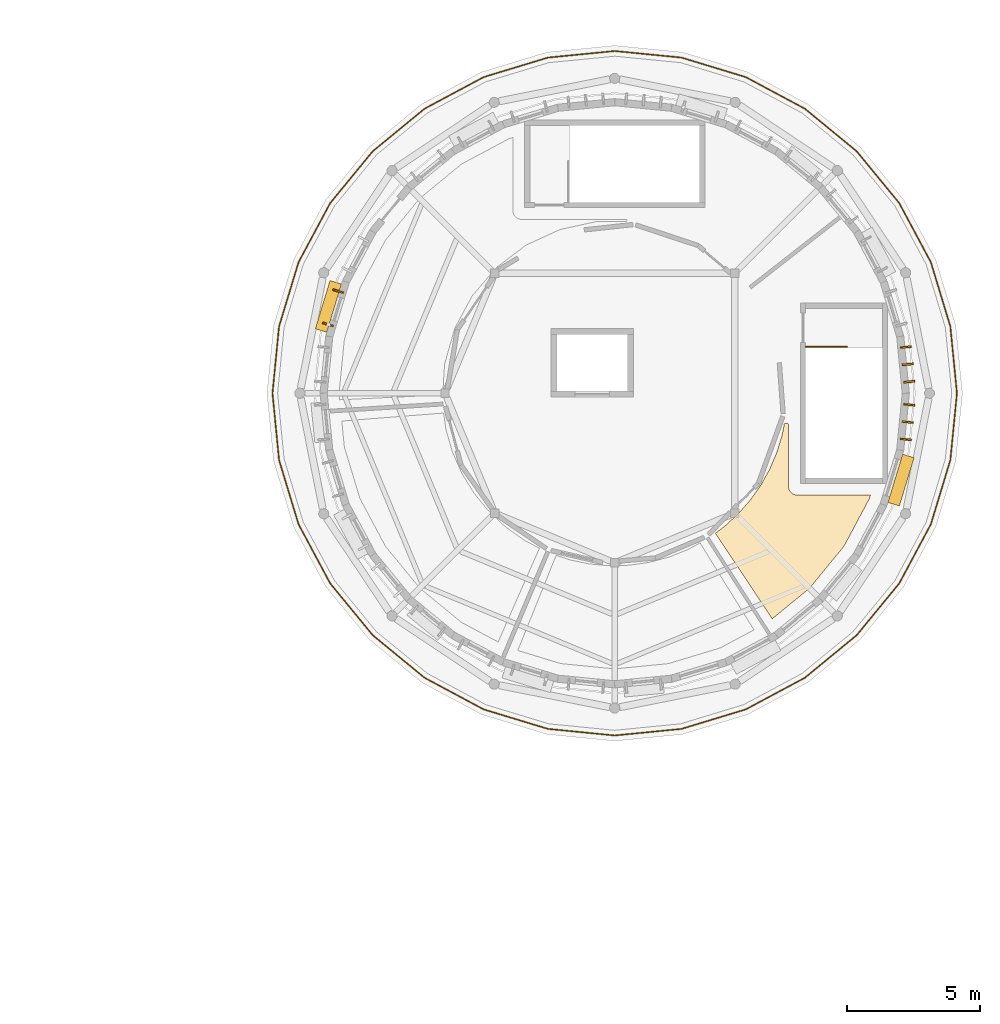
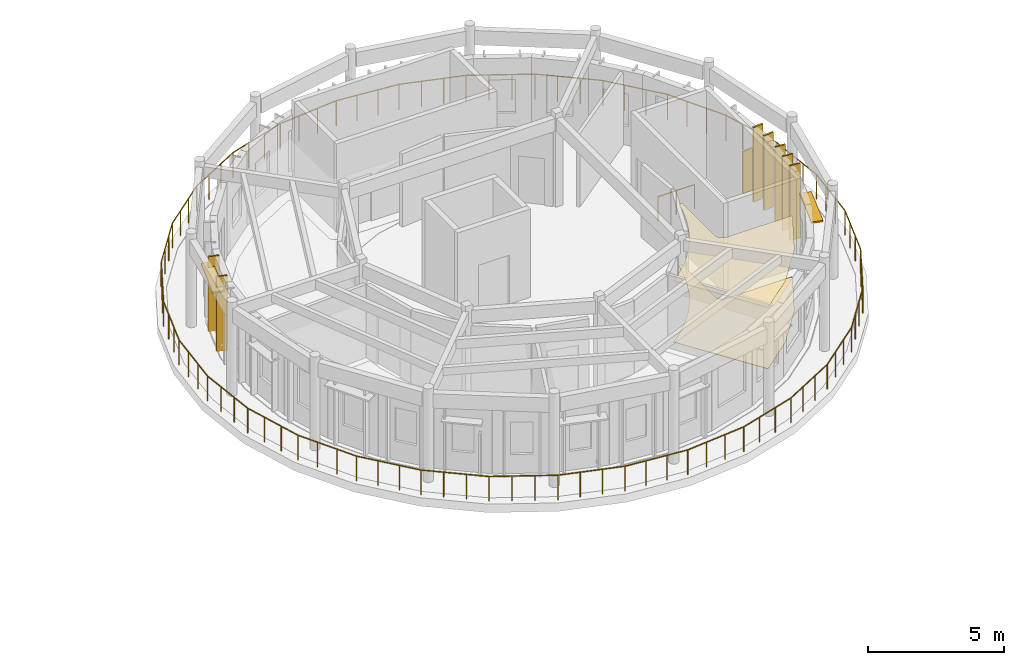
# One storey, part 36 of 37: 10 shading devices, 2 coverings, 2 railings.
"""IFC4 building model written with IfcOpenShell, lengths in metres."""

import ifcopenshell
import ifcopenshell.guid

model = None  # the IFC model being written
_history = None  # IfcOwnerHistory: only IFC2X3 demands one
_inside = {}  # id of a spatial element -> (the spatial element, [elements in it])
_under = {}  # id of a project, library or spatial element -> (it, [spatial elements below it])
_declared = {}  # id of a project -> (the project, [libraries it declares])
_typed = {}  # id of a type object -> (the type object, [elements of that type])
_made_of = {}  # id of a material, layer set ... -> (it, [elements and type objects made of it])


def new_model(schema):
    """Start an empty IFC model of exactly this schema.

    Asked for "IFC4X3", IfcOpenShell would pick the latest addendum, in which some entities
    have other attributes; the version numbers below select the first issue.
    IFC2X3 requires an IfcOwnerHistory on every rooted entity: one is made here for all.
    """
    global model, _history
    if schema == "IFC4X3":
        model = ifcopenshell.file(schema_version=(4, 3, 0, 0))
    else:
        model = ifcopenshell.file(schema=schema)
    _inside.clear()
    _under.clear()
    _declared.clear()
    _typed.clear()
    _made_of.clear()
    _history = None
    if model.schema == "IFC2X3":
        org = make("IfcOrganization", Name="unknown")
        user = make(
            "IfcPersonAndOrganization",
            ThePerson=make("IfcPerson", FamilyName="unknown"),
            TheOrganization=org,
        )
        app = make(
            "IfcApplication",
            ApplicationDeveloper=org,
            Version="unknown",
            ApplicationFullName="unknown",
            ApplicationIdentifier="unknown",
        )
        _history = make(
            "IfcOwnerHistory",
            OwningUser=user,
            OwningApplication=app,
            ChangeAction="ADDED",
            CreationDate=0,
        )
    return model


def make(cls, **values):
    """One entity of the class cls with the attributes given. An attribute that is None is left unset."""
    return model.create_entity(
        cls, **{name: value for name, value in values.items() if value is not None}
    )


def rooted(cls, **values):
    """An entity with a GlobalId (a new one), such as an element, a storey or a relation."""
    return make(cls, GlobalId=ifcopenshell.guid.new(), OwnerHistory=_history, **values)


def si_unit(unit_type, name, prefix=None):
    """IfcSIUnit, for example si_unit("LENGTHUNIT", "METRE", prefix="MILLI")."""
    return make("IfcSIUnit", UnitType=unit_type, Prefix=prefix, Name=name)


def assignment(units):
    """IfcUnitAssignment: the units of a project."""
    return None if units is None else make("IfcUnitAssignment", Units=units)


def point(xyz):
    """IfcCartesianPoint."""
    return None if xyz is None else make("IfcCartesianPoint", Coordinates=xyz)


def direction(xyz):
    """IfcDirection."""
    return None if xyz is None else make("IfcDirection", DirectionRatios=xyz)


def frame(location, z_axis=None, x_axis=None):
    """IfcAxis2Placement3D, a coordinate frame: its origin and axes. An axis left out is left unset."""
    return make(
        "IfcAxis2Placement3D",
        Location=point(location),
        Axis=direction(z_axis),
        RefDirection=direction(x_axis),
    )


def frame_2d(location, x_axis=None):
    """IfcAxis2Placement2D, a coordinate frame in the plane: its origin and x axis."""
    return make(
        "IfcAxis2Placement2D", Location=point(location), RefDirection=direction(x_axis)
    )


def origin():
    """The frame at (0, 0, 0) with its axes left unset."""
    return frame((0.0, 0.0, 0.0))


def origin_2d():
    """The frame at (0, 0) in the plane with its x axis left unset."""
    return frame_2d((0.0, 0.0))


def place(relative_to, where):
    """IfcLocalPlacement: puts the frame where relative to a parent placement (None: the world)."""
    return make(
        "IfcLocalPlacement", PlacementRelTo=relative_to, RelativePlacement=where
    )


def context(
    kind, dimensions, precision=None, world=None, true_north=None, identifier=None
):
    """IfcGeometricRepresentationContext, for example the 3D "Model" context."""
    return make(
        "IfcGeometricRepresentationContext",
        ContextIdentifier=identifier,
        ContextType=kind,
        CoordinateSpaceDimension=dimensions,
        Precision=precision,
        WorldCoordinateSystem=world,
        TrueNorth=true_north,
    )


def subcontext(parent, identifier, kind, view, scale=None):
    """IfcGeometricRepresentationSubContext, for example "Body" below "Model"."""
    return make(
        "IfcGeometricRepresentationSubContext",
        ContextIdentifier=identifier,
        ContextType=kind,
        ParentContext=parent,
        TargetScale=scale,
        TargetView=view,
    )


def project(units=None, contexts=None):
    """IfcProject with its units and contexts."""
    return rooted(
        "IfcProject",
        Name="project",
        RepresentationContexts=contexts,
        UnitsInContext=assignment(units),
    )


def spatial(cls, under=None, at=None, **own):
    """A site, building, storey or space (cls), placed at a placement, below another one or the project."""
    s = rooted(cls, ObjectPlacement=at, **own)
    if under is not None:
        _under.setdefault(under.id(), (under, []))[1].append(s)
    return s


def polyline(points):
    """IfcPolyline through the points."""
    return make("IfcPolyline", Points=[point(p) for p in points])


def profile(cls, at=None, kind="AREA", **sizes):
    """A parametric profile (cls). Its sizes go by their IFC names, for example OverallWidth=200.0."""
    return make(cls, ProfileType=kind, Position=at, **sizes)


def rectangle(**sizes):
    """IfcRectangleProfileDef."""
    return profile("IfcRectangleProfileDef", **sizes)


def circle(**sizes):
    """IfcCircleProfileDef."""
    return profile("IfcCircleProfileDef", **sizes)


def outline(outer, holes=None, kind="AREA"):
    """IfcArbitraryClosedProfileDef: a profile drawn as a closed curve; with holes, ...WithVoids."""
    if holes is None:
        return make("IfcArbitraryClosedProfileDef", ProfileType=kind, OuterCurve=outer)
    return make(
        "IfcArbitraryProfileDefWithVoids",
        ProfileType=kind,
        OuterCurve=outer,
        InnerCurves=holes,
    )


def extrude(swept, where, along, depth):
    """IfcExtrudedAreaSolid: the profile swept, set in the frame where, extruded along a direction by depth."""
    return make(
        "IfcExtrudedAreaSolid",
        SweptArea=swept,
        Position=where,
        ExtrudedDirection=direction(along),
        Depth=depth,
    )


def shape(context_of_items, identifier, shape_type, items):
    """IfcShapeRepresentation: the items that make up one representation, for example the "Body"."""
    return make(
        "IfcShapeRepresentation",
        ContextOfItems=context_of_items,
        RepresentationIdentifier=identifier,
        RepresentationType=shape_type,
        Items=items,
    )


def material(Name=None, Category=None):
    """IfcMaterial."""
    return make("IfcMaterial", Name=Name, Category=Category)


def layer(
    of_material, thickness, ventilated=None, Name=None, Category=None, Priority=None
):
    """IfcMaterialLayer: one layer of a wall or slab, of a material (None: an air gap)."""
    return make(
        "IfcMaterialLayer",
        Material=of_material,
        LayerThickness=thickness,
        IsVentilated=ventilated,
        Name=Name,
        Category=Category,
        Priority=Priority,
    )


def layer_set(layers, Name=None):
    """IfcMaterialLayerSet."""
    return make("IfcMaterialLayerSet", MaterialLayers=layers, LayerSetName=Name)


def made_of(thing, what):
    """Note that an element or type object is made of a material, layer set ...; save() writes the relation."""
    if what is not None:
        _made_of.setdefault(what.id(), (what, []))[1].append(thing)
    return thing


def type_object(cls, material=None, **own):
    """A type object (cls), such as IfcWallType, which elements share."""
    return made_of(rooted(cls, **own), material)


def element(
    cls,
    number,
    at=None,
    inside=None,
    cuts=None,
    type_object=None,
    material=None,
    context=None,
    identifier="Body",
    shape_type=None,
    held_by="IfcProductDefinitionShape",
    body=None,
    shapes=None,
    **own,
):
    """One element of the class cls, such as IfcWall. Its Tag is "e" and its number.

    at: its placement. inside: the storey or other place that contains it. cuts: it is an
    opening in that element (IfcRelVoidsElement). A single representation is given by context,
    identifier, shape_type and body (its items); several are given by shapes. held_by: the class
    of the entity that holds the representations. save() writes the other relations.
    """
    e = rooted(cls, Tag="e%d" % number, ObjectPlacement=at, **own)
    if body is not None:
        shapes = [shape(context, identifier, shape_type, body)]
    if shapes is not None:
        e.Representation = make(held_by, Representations=shapes)
    if inside is not None:
        _inside.setdefault(inside.id(), (inside, []))[1].append(e)
    if cuts is not None:
        rooted(
            "IfcRelVoidsElement", RelatingBuildingElement=cuts, RelatedOpeningElement=e
        )
    if type_object is not None:
        _typed.setdefault(type_object.id(), (type_object, []))[1].append(e)
    return made_of(e, material)


def aggregate(whole, parts):
    """IfcRelAggregates: a whole, such as a stair, and the parts it consists of."""
    return rooted("IfcRelAggregates", RelatingObject=whole, RelatedObjects=parts)


def save(model, path):
    """Write the relations noted so far, then the file.

    IfcRelAggregates (storeys below a building ...), IfcRelContainedInSpatialStructure (elements
    in a storey), IfcRelDefinesByType, IfcRelAssociatesMaterial and IfcRelDeclares: one each for
    every whole, place, type object, material and project.
    """
    for whole, parts in _under.values():
        aggregate(whole, parts)
    for where, things in _inside.values():
        rooted(
            "IfcRelContainedInSpatialStructure",
            RelatedElements=things,
            RelatingStructure=where,
        )
    for kind, things in _typed.values():
        rooted("IfcRelDefinesByType", RelatedObjects=things, RelatingType=kind)
    for what, things in _made_of.values():
        rooted("IfcRelAssociatesMaterial", RelatedObjects=things, RelatingMaterial=what)
    for by, libraries in _declared.values():
        rooted("IfcRelDeclares", RelatingContext=by, RelatedDefinitions=libraries)
    model.write(path)


model = new_model("IFC4")

# Units and contexts
model_context = context("Model", 3, precision=1e-05, world=origin(), true_north=direction((0.0, 1.0)))
body_context = subcontext(model_context, "Body", "Model", "MODEL_VIEW")
ifc_project = project(units=[si_unit("LENGTHUNIT", "METRE"), si_unit("AREAUNIT", "SQUARE_METRE"), si_unit("VOLUMEUNIT", "CUBIC_METRE"), si_unit("PLANEANGLEUNIT", "RADIAN"), si_unit("MASSUNIT", "GRAM", prefix="KILO")], contexts=[model_context])

# Site, building, storey
site_placement = place(None, origin())
site = spatial("IfcSite", under=ifc_project, at=site_placement, CompositionType="ELEMENT")
building_placement = place(site_placement, origin())
building = spatial("IfcBuilding", under=site, at=building_placement, Name="Aldenvaro Health Centre", CompositionType="ELEMENT")
storey_placement = place(building_placement, frame((0.0, 0.0, 12.949951171875)))
storey = spatial("IfcBuildingStorey", under=building, at=storey_placement, Name="L03", CompositionType="ELEMENT", Elevation=12.949951171875)

# Coverings
ifc_material_1 = material(Name="Antimicrobial Mineral Fibre Ceiling")
ifc_layer_1 = layer(ifc_material_1, 0.01806640625, Name="Antimicrobial Mineral Fibre Ceiling")
ifc_layer_set_1 = layer_set([ifc_layer_1], Name="Antimicrobial Mineral Fibre Ceiling")
covering_type_1 = type_object("IfcCoveringType", Name="COV-CLG-ACT18", PredefinedType="CEILING", material=ifc_layer_set_1)
covering_1_placement = place(storey_placement, frame((0.0, 0.0, 2.75)))
element("IfcCovering", 1, at=covering_1_placement, inside=storey, type_object=covering_type_1, Name="D2-L03-R04 Suspended Ceiling", PredefinedType="CEILING", context=body_context, shape_type="SweptSolid", body=[
    extrude(outline(polyline([(158.64599609375, 94.48095703125), (158.6650390625, 94.4970703125), (159.152099609375, 94.947021484375), (159.169921875, 94.965087890625), (159.60693359375, 95.464111328125), (159.623046875, 95.48388671875), (160.0048828125, 96.02587890625), (160.01806640625, 96.047119140625), (160.341064453125, 96.6259765625), (160.35205078125, 96.64892578125), (160.612060546875, 97.259033203125), (160.62109375, 97.282958984375), (160.81396484375, 97.9169921875), (160.820068359375, 97.94189453125), (160.903076171875, 98.368896484375), (161.06005859375, 98.346923828125), (161.06005859375, 95.97998046875), (161.06005859375, 95.968017578125), (161.06103515625, 95.9599609375), (161.06298828125, 95.93701171875), (161.06396484375, 95.928955078125), (161.069091796875, 95.906005859375), (161.071044921875, 95.89794921875), (161.076904296875, 95.8759765625), (161.080078125, 95.868896484375), (161.089111328125, 95.846923828125), (161.092041015625, 95.840087890625), (161.10400390625, 95.819091796875), (161.10791015625, 95.81201171875), (161.12109375, 95.79296875), (161.125, 95.785888671875), (161.139892578125, 95.76806640625), (161.14599609375, 95.761962890625), (161.162109375, 95.74609375), (161.16796875, 95.739990234375), (161.18603515625, 95.72509765625), (161.193115234375, 95.720947265625), (161.2119140625, 95.7080078125), (161.218994140625, 95.7041015625), (161.239990234375, 95.69189453125), (161.2470703125, 95.68896484375), (161.26904296875, 95.679931640625), (161.27587890625, 95.677001953125), (161.298095703125, 95.6708984375), (161.305908203125, 95.6689453125), (161.3291015625, 95.6640625), (161.3369140625, 95.6630859375), (161.360107421875, 95.660888671875), (161.367919921875, 95.659912109375), (161.3798828125, 95.659912109375), (164.14892578125, 95.659912109375), (164.10693359375, 95.52099609375), (163.14599609375, 93.722900390625), (161.85302734375, 92.14697265625), (160.443115234375, 90.989990234375), (158.2958984375, 94.220947265625), (158.64599609375, 94.48095703125)])), origin(), (0.0, 0.0, 1.0), 0.01806640625),
])
ifc_material_2 = material(Name="Polished Epoxy Terrazzo Flooring")
ifc_layer_2 = layer(ifc_material_2, 0.02197265625, Name="Polished Epoxy Terrazzo Flooring")
ifc_layer_set_2 = layer_set([ifc_layer_2], Name="Polished Epoxy Terrazzo Flooring")
covering_type_2 = type_object("IfcCoveringType", Name="COV-FLR-TER22", PredefinedType="FLOORING", material=ifc_layer_set_2)
covering_2_placement = place(storey_placement, origin())
element("IfcCovering", 2, at=covering_2_placement, inside=storey, type_object=covering_type_2, Name="D2-L03-R04 Flooring", PredefinedType="FLOORING", context=body_context, shape_type="SweptSolid", body=[
    extrude(outline(polyline([(158.64599609375, 94.48095703125), (158.6650390625, 94.4970703125), (159.152099609375, 94.947021484375), (159.169921875, 94.965087890625), (159.60693359375, 95.464111328125), (159.623046875, 95.48388671875), (160.0048828125, 96.02587890625), (160.01806640625, 96.047119140625), (160.341064453125, 96.6259765625), (160.35205078125, 96.64892578125), (160.612060546875, 97.259033203125), (160.62109375, 97.282958984375), (160.81396484375, 97.9169921875), (160.820068359375, 97.94189453125), (160.903076171875, 98.368896484375), (161.06005859375, 98.346923828125), (161.06005859375, 95.97998046875), (161.06005859375, 95.968017578125), (161.06103515625, 95.9599609375), (161.06298828125, 95.93701171875), (161.06396484375, 95.928955078125), (161.069091796875, 95.906005859375), (161.071044921875, 95.89794921875), (161.076904296875, 95.8759765625), (161.080078125, 95.868896484375), (161.089111328125, 95.846923828125), (161.092041015625, 95.840087890625), (161.10400390625, 95.819091796875), (161.10791015625, 95.81201171875), (161.12109375, 95.79296875), (161.125, 95.785888671875), (161.139892578125, 95.76806640625), (161.14599609375, 95.761962890625), (161.162109375, 95.74609375), (161.16796875, 95.739990234375), (161.18603515625, 95.72509765625), (161.193115234375, 95.720947265625), (161.2119140625, 95.7080078125), (161.218994140625, 95.7041015625), (161.239990234375, 95.69189453125), (161.2470703125, 95.68896484375), (161.26904296875, 95.679931640625), (161.27587890625, 95.677001953125), (161.298095703125, 95.6708984375), (161.305908203125, 95.6689453125), (161.3291015625, 95.6640625), (161.3369140625, 95.6630859375), (161.360107421875, 95.660888671875), (161.367919921875, 95.659912109375), (161.3798828125, 95.659912109375), (164.14892578125, 95.659912109375), (164.10693359375, 95.52099609375), (163.14599609375, 93.722900390625), (161.85302734375, 92.14697265625), (160.443115234375, 90.989990234375), (158.2958984375, 94.220947265625), (158.64599609375, 94.48095703125)])), origin(), (0.0, 0.0, 1.0), 0.02197265625),
])

# Railings
ifc_material_3 = material(Name="Painted Architectural Steel", Category="steel")
railing_type_1 = type_object("IfcRailingType", Name="RL-BAL-115", PredefinedType="GUARDRAIL", material=ifc_material_3)
railing_1_placement = place(storey_placement, frame((167.162109375, 96.98193359375, 0.0)))
element("IfcRailing", 3, at=railing_1_placement, inside=storey, type_object=railing_type_1, Name="D2 L03 recovery terrace guardrail 1", PredefinedType="GUARDRAIL", context=body_context, shape_type="SweptSolid", body=[
    extrude(circle(Radius=0.02392578125, at=origin_2d()), frame((0.0, 0.0, 1.1357421875), z_axis=(-0.290336554125, -0.95692459752, 0.0), x_axis=(0.95692459752, -0.290336554125, 0.0)), (0.0, 0.0, 1.0), 2.531982421875),
    extrude(circle(Radius=0.02392578125, at=origin_2d()), frame((-0.735107421875, -2.4228515625, 1.1357421875), z_axis=(-0.471554538519, -0.881836899433, 0.0), x_axis=(0.881836899433, -0.471554538519, 0.0)), (0.0, 0.0, 1.0), 2.5302734375),
    extrude(circle(Radius=0.02392578125, at=origin_2d()), frame((-1.92822265625, -4.654052734375, 1.1357421875), z_axis=(-0.634597458904, -0.772842846349, 0.0), x_axis=(0.772842846349, -0.634597458904, 0.0)), (0.0, 0.0, 1.0), 2.53076171875),
    extrude(circle(Radius=0.02392578125, at=origin_2d()), frame((-3.5341796875, -6.60986328125, 1.1357421875), z_axis=(-0.772842846349, -0.634597458904, 0.0), x_axis=(0.634597458904, -0.772842846349, 0.0)), (0.0, 0.0, 1.0), 2.53076171875),
    extrude(circle(Radius=0.02392578125, at=origin_2d()), frame((-5.489990234375, -8.2158203125, 1.1357421875), z_axis=(-0.881836899433, -0.471554538519, 0.0), x_axis=(0.471554538519, -0.881836899433, 0.0)), (0.0, 0.0, 1.0), 2.5302734375),
    extrude(circle(Radius=0.02392578125, at=origin_2d()), frame((-7.72119140625, -9.408935546875, 1.1357421875), z_axis=(-0.95692459752, -0.290336554125, 0.0), x_axis=(0.290336554125, -0.95692459752, 0.0)), (0.0, 0.0, 1.0), 2.531982421875),
    extrude(circle(Radius=0.02392578125, at=origin_2d()), frame((-10.14404296875, -10.14404296875, 1.1357421875), z_axis=(-0.995192632728, -0.097936835585, 0.0), x_axis=(0.097936835585, -0.995192632728, 0.0)), (0.0, 0.0, 1.0), 2.5302734375),
    extrude(circle(Radius=0.02392578125, at=origin_2d()), frame((-12.662109375, -10.391845703125, 1.1357421875), z_axis=(-0.995192632728, 0.097936835585, 0.0), x_axis=(-0.097936835585, -0.995192632728, 0.0)), (0.0, 0.0, 1.0), 2.5302734375),
    extrude(circle(Radius=0.02392578125, at=origin_2d()), frame((-15.18017578125, -10.14404296875, 1.1357421875), z_axis=(-0.95692459752, 0.290336554125, 0.0), x_axis=(-0.290336554125, -0.95692459752, 0.0)), (0.0, 0.0, 1.0), 2.531982421875),
    extrude(circle(Radius=0.02392578125, at=origin_2d()), frame((-17.60302734375, -9.408935546875, 1.1357421875), z_axis=(-0.881836899433, 0.471554538519, 0.0), x_axis=(-0.471554538519, -0.881836899433, 0.0)), (0.0, 0.0, 1.0), 2.5302734375),
    extrude(circle(Radius=0.02392578125, at=origin_2d()), frame((-19.834228515625, -8.2158203125, 1.1357421875), z_axis=(-0.772842846349, 0.634597458904, 0.0), x_axis=(-0.634597458904, -0.772842846349, 0.0)), (0.0, 0.0, 1.0), 2.53076171875),
    extrude(circle(Radius=0.02392578125, at=origin_2d()), frame((-21.7900390625, -6.60986328125, 1.1357421875), z_axis=(-0.634597458904, 0.772842846349, 0.0), x_axis=(-0.772842846349, -0.634597458904, 0.0)), (0.0, 0.0, 1.0), 2.53076171875),
    extrude(circle(Radius=0.02392578125, at=origin_2d()), frame((-23.39599609375, -4.654052734375, 1.1357421875), z_axis=(-0.471554538519, 0.881836899433, 0.0), x_axis=(-0.881836899433, -0.471554538519, 0.0)), (0.0, 0.0, 1.0), 2.5302734375),
    extrude(circle(Radius=0.02392578125, at=origin_2d()), frame((-24.589111328125, -2.4228515625, 1.1357421875), z_axis=(-0.290336554125, 0.95692459752, 0.0), x_axis=(-0.95692459752, -0.290336554125, 0.0)), (0.0, 0.0, 1.0), 2.531982421875),
    extrude(circle(Radius=0.02392578125, at=origin_2d()), frame((-25.32421875, 0.0, 1.1357421875), z_axis=(-0.097936835585, 0.995192632728, 0.0), x_axis=(-0.995192632728, -0.097936835585, 0.0)), (0.0, 0.0, 1.0), 2.5302734375),
    extrude(circle(Radius=0.02392578125, at=origin_2d()), frame((-25.572021484375, 2.51806640625, 1.1357421875), z_axis=(0.097936835585, 0.995192632728, 0.0), x_axis=(-0.995192632728, 0.097936835585, 0.0)), (0.0, 0.0, 1.0), 2.5302734375),
    extrude(circle(Radius=0.02392578125, at=origin_2d()), frame((-25.32421875, 5.0361328125, 1.1357421875), z_axis=(0.290336554125, 0.95692459752, 0.0), x_axis=(-0.95692459752, 0.290336554125, 0.0)), (0.0, 0.0, 1.0), 2.531982421875),
    extrude(circle(Radius=0.02392578125, at=origin_2d()), frame((-24.589111328125, 7.458984375, 1.1357421875), z_axis=(0.471554538519, 0.881836899433, 0.0), x_axis=(-0.881836899433, 0.471554538519, 0.0)), (0.0, 0.0, 1.0), 2.5302734375),
    extrude(circle(Radius=0.02392578125, at=origin_2d()), frame((-23.39599609375, 9.690185546875, 1.1357421875), z_axis=(0.634597458904, 0.772842846349, 0.0), x_axis=(-0.772842846349, 0.634597458904, 0.0)), (0.0, 0.0, 1.0), 2.53076171875),
    extrude(circle(Radius=0.02392578125, at=origin_2d()), frame((-21.7900390625, 11.64599609375, 1.1357421875), z_axis=(0.772842846349, 0.634597458904, 0.0), x_axis=(-0.634597458904, 0.772842846349, 0.0)), (0.0, 0.0, 1.0), 2.53076171875),
    extrude(circle(Radius=0.02392578125, at=origin_2d()), frame((-19.834228515625, 13.251953125, 1.1357421875), z_axis=(0.881836899433, 0.471554538519, 0.0), x_axis=(-0.471554538519, 0.881836899433, 0.0)), (0.0, 0.0, 1.0), 2.5302734375),
    extrude(circle(Radius=0.02392578125, at=origin_2d()), frame((-17.60302734375, 14.445068359375, 1.1357421875), z_axis=(0.95692459752, 0.290336554125, 0.0), x_axis=(-0.290336554125, 0.95692459752, 0.0)), (0.0, 0.0, 1.0), 2.531982421875),
    extrude(circle(Radius=0.02392578125, at=origin_2d()), frame((-15.18017578125, 15.18017578125, 1.1357421875), z_axis=(0.995192632728, 0.097936835585, 0.0), x_axis=(-0.097936835585, 0.995192632728, 0.0)), (0.0, 0.0, 1.0), 2.5302734375),
    extrude(circle(Radius=0.02392578125, at=origin_2d()), frame((-12.662109375, 15.427978515625, 1.1357421875), z_axis=(0.995192632728, -0.097936835585, 0.0), x_axis=(0.097936835585, 0.995192632728, 0.0)), (0.0, 0.0, 1.0), 2.5302734375),
    extrude(circle(Radius=0.02392578125, at=origin_2d()), frame((-10.14404296875, 15.18017578125, 1.1357421875), z_axis=(0.95692459752, -0.290336554125, 0.0), x_axis=(0.290336554125, 0.95692459752, 0.0)), (0.0, 0.0, 1.0), 2.531982421875),
    extrude(circle(Radius=0.02392578125, at=origin_2d()), frame((-7.72119140625, 14.445068359375, 1.1357421875), z_axis=(0.881836899433, -0.471554538519, 0.0), x_axis=(0.471554538519, 0.881836899433, 0.0)), (0.0, 0.0, 1.0), 2.5302734375),
    extrude(circle(Radius=0.02392578125, at=origin_2d()), frame((-5.489990234375, 13.251953125, 1.1357421875), z_axis=(0.772842846349, -0.634597458904, 0.0), x_axis=(0.634597458904, 0.772842846349, 0.0)), (0.0, 0.0, 1.0), 2.53076171875),
    extrude(circle(Radius=0.02392578125, at=origin_2d()), frame((-3.5341796875, 11.64599609375, 1.1357421875), z_axis=(0.634597458904, -0.772842846349, 0.0), x_axis=(0.772842846349, 0.634597458904, 0.0)), (0.0, 0.0, 1.0), 2.53076171875),
    extrude(circle(Radius=0.02392578125, at=origin_2d()), frame((-1.92822265625, 9.690185546875, 1.1357421875), z_axis=(0.471554538519, -0.881836899433, 0.0), x_axis=(0.881836899433, 0.471554538519, 0.0)), (0.0, 0.0, 1.0), 2.5302734375),
    extrude(circle(Radius=0.02392578125, at=origin_2d()), frame((-0.735107421875, 7.458984375, 1.1357421875), z_axis=(0.290336554125, -0.95692459752, 0.0), x_axis=(0.95692459752, 0.290336554125, 0.0)), (0.0, 0.0, 1.0), 2.531982421875),
    extrude(circle(Radius=0.02392578125, at=origin_2d()), frame((0.0, 5.0361328125, 1.1357421875), z_axis=(0.097936835585, -0.995192632728, 0.0), x_axis=(0.995192632728, 0.097936835585, 0.0)), (0.0, 0.0, 1.0), 2.5302734375),
    extrude(circle(Radius=0.02392578125, at=origin_2d()), frame((0.247802734375, 2.51806640625, 1.1357421875), z_axis=(-0.097936835585, -0.995192632728, 0.0), x_axis=(0.995192632728, -0.097936835585, 0.0)), (0.0, 0.0, 1.0), 2.5302734375),
    extrude(circle(Radius=0.02099609375, at=origin_2d()), origin(), (0.0, 0.0, 1.0), 1.11181640625),
    extrude(circle(Radius=0.02099609375, at=origin_2d()), frame((-0.2451171875, -0.8076171875, 0.0)), (0.0, 0.0, 1.0), 1.11181640625),
    extrude(circle(Radius=0.02099609375, at=origin_2d()), frame((-0.489990234375, -1.615234375, 0.0)), (0.0, 0.0, 1.0), 1.11181640625),
    extrude(circle(Radius=0.02099609375, at=origin_2d()), frame((-0.735107421875, -2.4228515625, 0.0)), (0.0, 0.0, 1.0), 1.11181640625),
    extrude(circle(Radius=0.02099609375, at=origin_2d()), frame((-1.1328125, -3.16650390625, 0.0)), (0.0, 0.0, 1.0), 1.11181640625),
    extrude(circle(Radius=0.02099609375, at=origin_2d()), frame((-1.530517578125, -3.910400390625, 0.0)), (0.0, 0.0, 1.0), 1.11181640625),
    extrude(circle(Radius=0.02099609375, at=origin_2d()), frame((-1.92822265625, -4.654052734375, 0.0)), (0.0, 0.0, 1.0), 1.11181640625),
    extrude(circle(Radius=0.02099609375, at=origin_2d()), frame((-2.463623046875, -5.305908203125, 0.0)), (0.0, 0.0, 1.0), 1.11181640625),
    extrude(circle(Radius=0.02099609375, at=origin_2d()), frame((-2.998779296875, -5.9580078125, 0.0)), (0.0, 0.0, 1.0), 1.11181640625),
    extrude(circle(Radius=0.02099609375, at=origin_2d()), frame((-3.5341796875, -6.60986328125, 0.0)), (0.0, 0.0, 1.0), 1.11181640625),
    extrude(circle(Radius=0.02099609375, at=origin_2d()), frame((-4.18603515625, -7.145263671875, 0.0)), (0.0, 0.0, 1.0), 1.11181640625),
    extrude(circle(Radius=0.02099609375, at=origin_2d()), frame((-4.838134765625, -7.680419921875, 0.0)), (0.0, 0.0, 1.0), 1.11181640625),
    extrude(circle(Radius=0.02099609375, at=origin_2d()), frame((-5.489990234375, -8.2158203125, 0.0)), (0.0, 0.0, 1.0), 1.11181640625),
    extrude(circle(Radius=0.02099609375, at=origin_2d()), frame((-6.233642578125, -8.613525390625, 0.0)), (0.0, 0.0, 1.0), 1.11181640625),
    extrude(circle(Radius=0.02099609375, at=origin_2d()), frame((-6.9775390625, -9.01123046875, 0.0)), (0.0, 0.0, 1.0), 1.11181640625),
    extrude(circle(Radius=0.02099609375, at=origin_2d()), frame((-7.72119140625, -9.408935546875, 0.0)), (0.0, 0.0, 1.0), 1.11181640625),
    extrude(circle(Radius=0.02099609375, at=origin_2d()), frame((-8.52880859375, -9.654052734375, 0.0)), (0.0, 0.0, 1.0), 1.11181640625),
    extrude(circle(Radius=0.02099609375, at=origin_2d()), frame((-9.33642578125, -9.89892578125, 0.0)), (0.0, 0.0, 1.0), 1.11181640625),
    extrude(circle(Radius=0.02099609375, at=origin_2d()), frame((-10.14404296875, -10.14404296875, 0.0)), (0.0, 0.0, 1.0), 1.11181640625),
    extrude(circle(Radius=0.02099609375, at=origin_2d()), frame((-10.9833984375, -10.2265625, 0.0)), (0.0, 0.0, 1.0), 1.11181640625),
    extrude(circle(Radius=0.02099609375, at=origin_2d()), frame((-11.82275390625, -10.309326171875, 0.0)), (0.0, 0.0, 1.0), 1.11181640625),
    extrude(circle(Radius=0.02099609375, at=origin_2d()), frame((-12.662109375, -10.391845703125, 0.0)), (0.0, 0.0, 1.0), 1.11181640625),
    extrude(circle(Radius=0.02099609375, at=origin_2d()), frame((-13.50146484375, -10.309326171875, 0.0)), (0.0, 0.0, 1.0), 1.11181640625),
    extrude(circle(Radius=0.02099609375, at=origin_2d()), frame((-14.3408203125, -10.2265625, 0.0)), (0.0, 0.0, 1.0), 1.11181640625),
    extrude(circle(Radius=0.02099609375, at=origin_2d()), frame((-15.18017578125, -10.14404296875, 0.0)), (0.0, 0.0, 1.0), 1.11181640625),
    extrude(circle(Radius=0.02099609375, at=origin_2d()), frame((-15.98779296875, -9.89892578125, 0.0)), (0.0, 0.0, 1.0), 1.11181640625),
    extrude(circle(Radius=0.02099609375, at=origin_2d()), frame((-16.79541015625, -9.654052734375, 0.0)), (0.0, 0.0, 1.0), 1.11181640625),
    extrude(circle(Radius=0.02099609375, at=origin_2d()), frame((-17.60302734375, -9.408935546875, 0.0)), (0.0, 0.0, 1.0), 1.11181640625),
    extrude(circle(Radius=0.02099609375, at=origin_2d()), frame((-18.3466796875, -9.01123046875, 0.0)), (0.0, 0.0, 1.0), 1.11181640625),
    extrude(circle(Radius=0.02099609375, at=origin_2d()), frame((-19.090576171875, -8.613525390625, 0.0)), (0.0, 0.0, 1.0), 1.11181640625),
    extrude(circle(Radius=0.02099609375, at=origin_2d()), frame((-19.834228515625, -8.2158203125, 0.0)), (0.0, 0.0, 1.0), 1.11181640625),
    extrude(circle(Radius=0.02099609375, at=origin_2d()), frame((-20.486083984375, -7.680419921875, 0.0)), (0.0, 0.0, 1.0), 1.11181640625),
    extrude(circle(Radius=0.02099609375, at=origin_2d()), frame((-21.13818359375, -7.145263671875, 0.0)), (0.0, 0.0, 1.0), 1.11181640625),
    extrude(circle(Radius=0.02099609375, at=origin_2d()), frame((-21.7900390625, -6.60986328125, 0.0)), (0.0, 0.0, 1.0), 1.11181640625),
    extrude(circle(Radius=0.02099609375, at=origin_2d()), frame((-22.325439453125, -5.9580078125, 0.0)), (0.0, 0.0, 1.0), 1.11181640625),
    extrude(circle(Radius=0.02099609375, at=origin_2d()), frame((-22.860595703125, -5.305908203125, 0.0)), (0.0, 0.0, 1.0), 1.11181640625),
    extrude(circle(Radius=0.02099609375, at=origin_2d()), frame((-23.39599609375, -4.654052734375, 0.0)), (0.0, 0.0, 1.0), 1.11181640625),
    extrude(circle(Radius=0.02099609375, at=origin_2d()), frame((-23.793701171875, -3.910400390625, 0.0)), (0.0, 0.0, 1.0), 1.11181640625),
    extrude(circle(Radius=0.02099609375, at=origin_2d()), frame((-24.19140625, -3.16650390625, 0.0)), (0.0, 0.0, 1.0), 1.11181640625),
    extrude(circle(Radius=0.02099609375, at=origin_2d()), frame((-24.589111328125, -2.4228515625, 0.0)), (0.0, 0.0, 1.0), 1.11181640625),
    extrude(circle(Radius=0.02099609375, at=origin_2d()), frame((-24.834228515625, -1.615234375, 0.0)), (0.0, 0.0, 1.0), 1.11181640625),
    extrude(circle(Radius=0.02099609375, at=origin_2d()), frame((-25.0791015625, -0.8076171875, 0.0)), (0.0, 0.0, 1.0), 1.11181640625),
    extrude(circle(Radius=0.02099609375, at=origin_2d()), frame((-25.32421875, 0.0, 0.0)), (0.0, 0.0, 1.0), 1.11181640625),
    extrude(circle(Radius=0.02099609375, at=origin_2d()), frame((-25.40673828125, 0.83935546875, 0.0)), (0.0, 0.0, 1.0), 1.11181640625),
    extrude(circle(Radius=0.02099609375, at=origin_2d()), frame((-25.489501953125, 1.6787109375, 0.0)), (0.0, 0.0, 1.0), 1.11181640625),
    extrude(circle(Radius=0.02099609375, at=origin_2d()), frame((-25.572021484375, 2.51806640625, 0.0)), (0.0, 0.0, 1.0), 1.11181640625),
    extrude(circle(Radius=0.02099609375, at=origin_2d()), frame((-25.489501953125, 3.357421875, 0.0)), (0.0, 0.0, 1.0), 1.11181640625),
    extrude(circle(Radius=0.02099609375, at=origin_2d()), frame((-25.40673828125, 4.19677734375, 0.0)), (0.0, 0.0, 1.0), 1.11181640625),
    extrude(circle(Radius=0.02099609375, at=origin_2d()), frame((-25.32421875, 5.0361328125, 0.0)), (0.0, 0.0, 1.0), 1.11181640625),
    extrude(circle(Radius=0.02099609375, at=origin_2d()), frame((-25.0791015625, 5.84375, 0.0)), (0.0, 0.0, 1.0), 1.11181640625),
    extrude(circle(Radius=0.02099609375, at=origin_2d()), frame((-24.834228515625, 6.6513671875, 0.0)), (0.0, 0.0, 1.0), 1.11181640625),
    extrude(circle(Radius=0.02099609375, at=origin_2d()), frame((-24.589111328125, 7.458984375, 0.0)), (0.0, 0.0, 1.0), 1.11181640625),
    extrude(circle(Radius=0.02099609375, at=origin_2d()), frame((-24.19140625, 8.20263671875, 0.0)), (0.0, 0.0, 1.0), 1.11181640625),
    extrude(circle(Radius=0.02099609375, at=origin_2d()), frame((-23.793701171875, 8.946533203125, 0.0)), (0.0, 0.0, 1.0), 1.11181640625),
    extrude(circle(Radius=0.02099609375, at=origin_2d()), frame((-23.39599609375, 9.690185546875, 0.0)), (0.0, 0.0, 1.0), 1.11181640625),
    extrude(circle(Radius=0.02099609375, at=origin_2d()), frame((-22.860595703125, 10.342041015625, 0.0)), (0.0, 0.0, 1.0), 1.11181640625),
    extrude(circle(Radius=0.02099609375, at=origin_2d()), frame((-22.325439453125, 10.994140625, 0.0)), (0.0, 0.0, 1.0), 1.11181640625),
    extrude(circle(Radius=0.02099609375, at=origin_2d()), frame((-21.7900390625, 11.64599609375, 0.0)), (0.0, 0.0, 1.0), 1.11181640625),
    extrude(circle(Radius=0.02099609375, at=origin_2d()), frame((-21.13818359375, 12.181396484375, 0.0)), (0.0, 0.0, 1.0), 1.11181640625),
    extrude(circle(Radius=0.02099609375, at=origin_2d()), frame((-20.486083984375, 12.716552734375, 0.0)), (0.0, 0.0, 1.0), 1.11181640625),
    extrude(circle(Radius=0.02099609375, at=origin_2d()), frame((-19.834228515625, 13.251953125, 0.0)), (0.0, 0.0, 1.0), 1.11181640625),
    extrude(circle(Radius=0.02099609375, at=origin_2d()), frame((-19.090576171875, 13.649658203125, 0.0)), (0.0, 0.0, 1.0), 1.11181640625),
    extrude(circle(Radius=0.02099609375, at=origin_2d()), frame((-18.3466796875, 14.04736328125, 0.0)), (0.0, 0.0, 1.0), 1.11181640625),
    extrude(circle(Radius=0.02099609375, at=origin_2d()), frame((-17.60302734375, 14.445068359375, 0.0)), (0.0, 0.0, 1.0), 1.11181640625),
    extrude(circle(Radius=0.02099609375, at=origin_2d()), frame((-16.79541015625, 14.690185546875, 0.0)), (0.0, 0.0, 1.0), 1.11181640625),
    extrude(circle(Radius=0.02099609375, at=origin_2d()), frame((-15.98779296875, 14.93505859375, 0.0)), (0.0, 0.0, 1.0), 1.11181640625),
    extrude(circle(Radius=0.02099609375, at=origin_2d()), frame((-15.18017578125, 15.18017578125, 0.0)), (0.0, 0.0, 1.0), 1.11181640625),
    extrude(circle(Radius=0.02099609375, at=origin_2d()), frame((-14.3408203125, 15.2626953125, 0.0)), (0.0, 0.0, 1.0), 1.11181640625),
    extrude(circle(Radius=0.02099609375, at=origin_2d()), frame((-13.50146484375, 15.345458984375, 0.0)), (0.0, 0.0, 1.0), 1.11181640625),
    extrude(circle(Radius=0.02099609375, at=origin_2d()), frame((-12.662109375, 15.427978515625, 0.0)), (0.0, 0.0, 1.0), 1.11181640625),
    extrude(circle(Radius=0.02099609375, at=origin_2d()), frame((-11.82275390625, 15.345458984375, 0.0)), (0.0, 0.0, 1.0), 1.11181640625),
    extrude(circle(Radius=0.02099609375, at=origin_2d()), frame((-10.9833984375, 15.2626953125, 0.0)), (0.0, 0.0, 1.0), 1.11181640625),
    extrude(circle(Radius=0.02099609375, at=origin_2d()), frame((-10.14404296875, 15.18017578125, 0.0)), (0.0, 0.0, 1.0), 1.11181640625),
    extrude(circle(Radius=0.02099609375, at=origin_2d()), frame((-9.33642578125, 14.93505859375, 0.0)), (0.0, 0.0, 1.0), 1.11181640625),
    extrude(circle(Radius=0.02099609375, at=origin_2d()), frame((-8.52880859375, 14.690185546875, 0.0)), (0.0, 0.0, 1.0), 1.11181640625),
    extrude(circle(Radius=0.02099609375, at=origin_2d()), frame((-7.72119140625, 14.445068359375, 0.0)), (0.0, 0.0, 1.0), 1.11181640625),
    extrude(circle(Radius=0.02099609375, at=origin_2d()), frame((-6.9775390625, 14.04736328125, 0.0)), (0.0, 0.0, 1.0), 1.11181640625),
    extrude(circle(Radius=0.02099609375, at=origin_2d()), frame((-6.233642578125, 13.649658203125, 0.0)), (0.0, 0.0, 1.0), 1.11181640625),
    extrude(circle(Radius=0.02099609375, at=origin_2d()), frame((-5.489990234375, 13.251953125, 0.0)), (0.0, 0.0, 1.0), 1.11181640625),
    extrude(circle(Radius=0.02099609375, at=origin_2d()), frame((-4.838134765625, 12.716552734375, 0.0)), (0.0, 0.0, 1.0), 1.11181640625),
    extrude(circle(Radius=0.02099609375, at=origin_2d()), frame((-4.18603515625, 12.181396484375, 0.0)), (0.0, 0.0, 1.0), 1.11181640625),
    extrude(circle(Radius=0.02099609375, at=origin_2d()), frame((-3.5341796875, 11.64599609375, 0.0)), (0.0, 0.0, 1.0), 1.11181640625),
    extrude(circle(Radius=0.02099609375, at=origin_2d()), frame((-2.998779296875, 10.994140625, 0.0)), (0.0, 0.0, 1.0), 1.11181640625),
    extrude(circle(Radius=0.02099609375, at=origin_2d()), frame((-2.463623046875, 10.342041015625, 0.0)), (0.0, 0.0, 1.0), 1.11181640625),
    extrude(circle(Radius=0.02099609375, at=origin_2d()), frame((-1.92822265625, 9.690185546875, 0.0)), (0.0, 0.0, 1.0), 1.11181640625),
    extrude(circle(Radius=0.02099609375, at=origin_2d()), frame((-1.530517578125, 8.946533203125, 0.0)), (0.0, 0.0, 1.0), 1.11181640625),
    extrude(circle(Radius=0.02099609375, at=origin_2d()), frame((-1.1328125, 8.20263671875, 0.0)), (0.0, 0.0, 1.0), 1.11181640625),
    extrude(circle(Radius=0.02099609375, at=origin_2d()), frame((-0.735107421875, 7.458984375, 0.0)), (0.0, 0.0, 1.0), 1.11181640625),
    extrude(circle(Radius=0.02099609375, at=origin_2d()), frame((-0.489990234375, 6.6513671875, 0.0)), (0.0, 0.0, 1.0), 1.11181640625),
    extrude(circle(Radius=0.02099609375, at=origin_2d()), frame((-0.2451171875, 5.84375, 0.0)), (0.0, 0.0, 1.0), 1.11181640625),
    extrude(circle(Radius=0.02099609375, at=origin_2d()), frame((0.0, 5.0361328125, 0.0)), (0.0, 0.0, 1.0), 1.11181640625),
    extrude(circle(Radius=0.02099609375, at=origin_2d()), frame((0.08251953125, 4.19677734375, 0.0)), (0.0, 0.0, 1.0), 1.11181640625),
    extrude(circle(Radius=0.02099609375, at=origin_2d()), frame((0.165283203125, 3.357421875, 0.0)), (0.0, 0.0, 1.0), 1.11181640625),
    extrude(circle(Radius=0.02099609375, at=origin_2d()), frame((0.247802734375, 2.51806640625, 0.0)), (0.0, 0.0, 1.0), 1.11181640625),
    extrude(circle(Radius=0.02099609375, at=origin_2d()), frame((0.165283203125, 1.6787109375, 0.0)), (0.0, 0.0, 1.0), 1.11181640625),
    extrude(circle(Radius=0.02099609375, at=origin_2d()), frame((0.08251953125, 0.83935546875, 0.0)), (0.0, 0.0, 1.0), 1.11181640625),
])
railing_type_2 = type_object("IfcRailingType", Name="RL-BAL-INT", PredefinedType="BALUSTRADE", material=ifc_material_3)
railing_2_placement = place(storey_placement, frame((161.699951171875, 101.25, 0.0)))
element("IfcRailing", 4, at=railing_2_placement, inside=storey, type_object=railing_type_2, Name="L03 ST-03 top well guard 1", PredefinedType="BALUSTRADE", context=body_context, shape_type="SweptSolid", body=[
    extrude(circle(Radius=0.02392578125, at=origin_2d()), frame((0.0, 0.0, 1.076171875), z_axis=(1.0, 0.0, 0.0), x_axis=(0.0, 1.0, 0.0)), (0.0, 0.0, 1.0), 1.550048828125),
    extrude(circle(Radius=0.02099609375, at=origin_2d()), origin(), (0.0, 0.0, 1.0), 1.052001953125),
    extrude(circle(Radius=0.02099609375, at=origin_2d()), frame((0.77490234375, 0.0, 0.0)), (0.0, 0.0, 1.0), 1.052001953125),
    extrude(circle(Radius=0.02099609375, at=origin_2d()), frame((1.550048828125, 0.0, 0.0)), (0.0, 0.0, 1.0), 1.052001953125),
])

# Shading devices
ifc_material_4 = material(Name="Douglas Fir Exterior Glulam GL28h", Category="wood")
shading_device_type_1 = type_object("IfcShadingDeviceType", Name="SHD-FIN-190", PredefinedType="USERDEFINED", material=ifc_material_4)
shading_device_placement = place(storey_placement, frame((165.48388671875, 101.240966796875, -0.02001953125), z_axis=(0.0, 0.0, 1.0), x_axis=(0.0980315952, -0.995183302886, 0.0)))
element("IfcShadingDevice", 5, at=shading_device_placement, inside=storey, type_object=shading_device_type_1, Name="D2 L03 Douglas fir fin 31.1", ObjectType="FIN", PredefinedType="USERDEFINED", context=body_context, shape_type="SweptSolid", body=[
    extrude(rectangle(XDim=0.06494140625, YDim=0.419921875, at=origin_2d()), origin(), (0.0, 0.0, 1.0), 1.89990234375),
])
shading_device_type_2 = type_object("IfcShadingDeviceType", Name="SHD-FIN-340", PredefinedType="USERDEFINED", material=ifc_material_4)
for number, where, z_axis, x_axis, name in (
    (6, (165.549072265625, 100.587890625, -0.02001953125), (0.0, 0.0, 1.0), (0.0980315952, -0.995183302886, 0.0), "D2 L03 Douglas fir fin 31.2"),
    (7, (165.613037109375, 99.93505859375, -0.02001953125), (0.0, 0.0, 1.0), (0.0980315952, -0.995183302886, 0.0), "D2 L03 Douglas fir fin 31.3"),
):
    element("IfcShadingDevice", number, at=place(storey_placement, frame(where, z_axis=z_axis, x_axis=x_axis)), inside=storey, type_object=shading_device_type_2, Name=name, ObjectType="FIN", PredefinedType="USERDEFINED", context=body_context, shape_type="SweptSolid", body=[
        extrude(rectangle(XDim=0.074951171875, YDim=0.419921875, at=origin_2d()), origin(), (0.0, 0.0, 1.0), 3.35400390625),
    ])
shading_device_type_3 = type_object("IfcShadingDeviceType", Name="SHD-FIN-400", PredefinedType="USERDEFINED", material=ifc_material_4)
for number, where, z_axis, x_axis, name in (
    (8, (143.68505859375, 102.094970703125, -0.02001953125), (0.0, 0.0, 1.0), (0.290329696075, 0.956926678266, 0.0), "D2 L03 Douglas fir fin 17.1"),
    (9, (144.06689453125, 103.35107421875, -0.02001953125), (0.0, 0.0, 1.0), (0.290329696075, 0.956926678266, 0.0), "D2 L03 Douglas fir fin 17.3"),
):
    element("IfcShadingDevice", number, at=place(storey_placement, frame(where, z_axis=z_axis, x_axis=x_axis)), inside=storey, type_object=shading_device_type_3, Name=name, ObjectType="FIN", PredefinedType="USERDEFINED", context=body_context, shape_type="SweptSolid", body=[
        extrude(rectangle(XDim=0.06494140625, YDim=0.419921875, at=origin_2d()), origin(), (0.0, 0.0, 1.0), 3.35400390625),
    ])
shading_device_type_4 = type_object("IfcShadingDeviceType", Name="SHD-FIN-455", PredefinedType="USERDEFINED", material=ifc_material_4)
for number, where, z_axis, x_axis, name in (
    (10, (165.613037109375, 99.06494140625, -0.02001953125), (0.0, 0.0, 1.0), (-0.0980315952, -0.995183302886, 0.0), "D2 L03 Douglas fir fin 32.1"),
    (11, (165.549072265625, 98.412109375, -0.02001953125), (0.0, 0.0, 1.0), (-0.0980315952, -0.995183302886, 0.0), "D2 L03 Douglas fir fin 32.2"),
    (12, (165.48388671875, 97.759033203125, -0.02001953125), (0.0, 0.0, 1.0), (-0.0980315952, -0.995183302886, 0.0), "D2 L03 Douglas fir fin 32.3"),
):
    element("IfcShadingDevice", number, at=place(storey_placement, frame(where, z_axis=z_axis, x_axis=x_axis)), inside=storey, type_object=shading_device_type_4, Name=name, ObjectType="FIN", PredefinedType="USERDEFINED", context=body_context, shape_type="SweptSolid", body=[
        extrude(rectangle(XDim=0.06494140625, YDim=0.419921875, at=origin_2d()), origin(), (0.0, 0.0, 1.0), 3.35400390625),
    ])
shading_device_type_5 = type_object("IfcShadingDeviceType", Name="SHD-LVR-190", PredefinedType="JALOUSIE", material=ifc_material_4)
for number, where, z_axis, x_axis, name in (
    (13, (165.301025390625, 96.22412109375, 2.34765625), (0.0, 0.0, 1.0), (-0.290329696075, -0.956926678266, 0.0), "D2 L03 horizontal solar louvre 01"),
    (14, (143.698974609375, 102.77587890625, 2.797607421875), (0.0, 0.0, 1.0), (0.290329696075, 0.956926678266, 0.0), "D2 L03 horizontal solar louvre 17"),
):
    element("IfcShadingDevice", number, at=place(storey_placement, frame(where, z_axis=z_axis, x_axis=x_axis)), inside=storey, type_object=shading_device_type_5, Name=name, PredefinedType="JALOUSIE", context=body_context, shape_type="SweptSolid", body=[
        extrude(rectangle(XDim=1.89990234375, YDim=0.449951171875, at=origin_2d()), origin(), (0.0, 0.0, 1.0), 0.06494140625),
    ])

save(model, "model.ifc")
